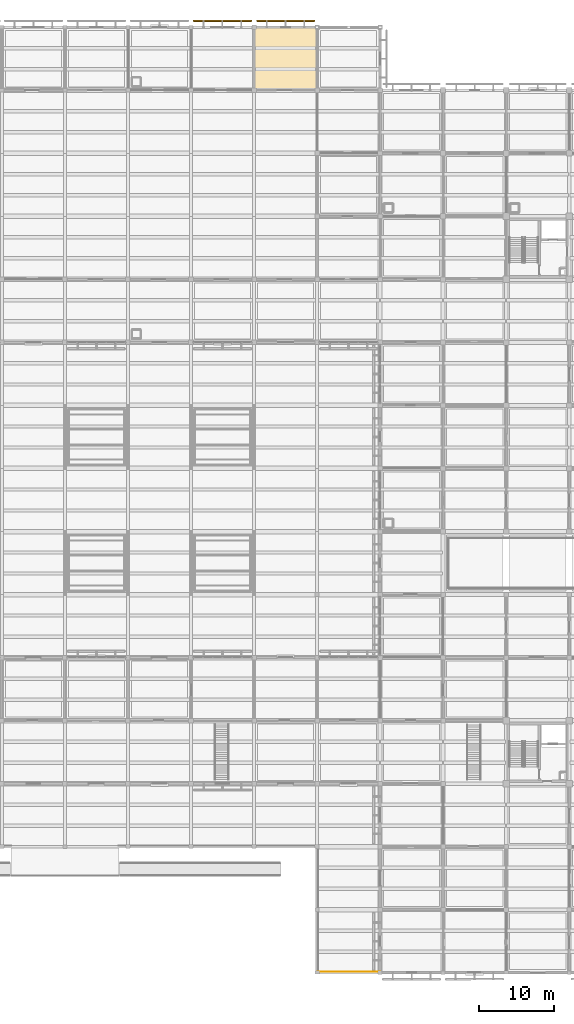
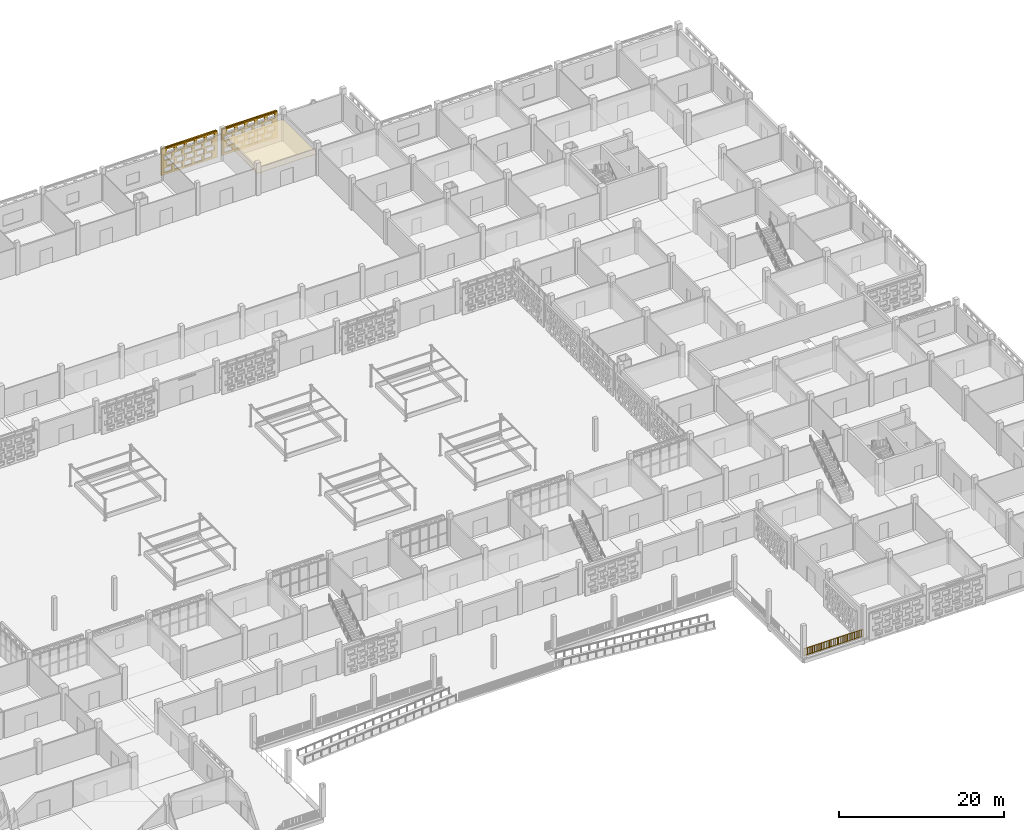
# One storey, part 109 of 129: 3 coverings, 2 shading devices, 1 railing, 40 openings.
"""IFC4 building model written with IfcOpenShell, lengths in metres."""

from ifc_helpers import new_model, si_unit, direction, frame, frame_2d, origin, origin_2d, place, context, subcontext, project, spatial, rectangle, circle, extrude, material, layer, layer_set, type_object, element, save


model = new_model("IFC4")

# Units and contexts
model_context = context("Model", 3, precision=1e-05, world=origin(), true_north=direction((0.0, 1.0)))
body_context = subcontext(model_context, "Body", "Model", "MODEL_VIEW")
ifc_project = project(units=[si_unit("LENGTHUNIT", "METRE"), si_unit("AREAUNIT", "SQUARE_METRE"), si_unit("VOLUMEUNIT", "CUBIC_METRE"), si_unit("PLANEANGLEUNIT", "RADIAN"), si_unit("MASSUNIT", "GRAM", prefix="KILO")], contexts=[model_context])

# Site, building, storey
site_placement = place(None, origin())
site = spatial("IfcSite", under=ifc_project, at=site_placement, CompositionType="ELEMENT")
building_placement = place(site_placement, origin())
building = spatial("IfcBuilding", under=site, at=building_placement, Name="Varnapada Polytechnic", CompositionType="ELEMENT")
storey_placement = place(building_placement, origin())
storey = spatial("IfcBuildingStorey", under=building, at=storey_placement, Name="L00", CompositionType="ELEMENT", Elevation=0.0)

# Covering
ifc_material_1 = material(Name="Perforated Timber Slatted Baffle Ceiling", Category="wood")
ifc_layer_1 = layer(ifc_material_1, 0.050048828125)
ifc_layer_set_1 = layer_set([ifc_layer_1], Name="Perforated Timber Slatted Baffle Ceiling")
covering_type_1 = type_object("IfcCoveringType", Name="Suspended Ceiling CLG-02", PredefinedType="CEILING", material=ifc_layer_set_1)
covering_1_placement = place(storey_placement, frame((121.800048828125, 121.800048828125, 3.02490234375), z_axis=(0.0, 0.0, 1.0), x_axis=(1.0, 0.0, 0.0)))
element("IfcCovering", 1, at=covering_1_placement, inside=storey, type_object=covering_type_1, Name="L00 suspended acoustic ceiling (15,15)", PredefinedType="CEILING", context=body_context, shape_type="SweptSolid", body=[
    extrude(rectangle(XDim=8.419921875, YDim=8.419921875, at=origin_2d()), origin(), (0.0, 0.0, 1.0), 0.050048828125),
])

# Railing
ifc_material_2 = material(Name="Painted galvanized steel", Category="steel")
railing_type = type_object("IfcRailingType", Name="Terrace Guard Rail GRD-01", PredefinedType="BALUSTRADE", material=ifc_material_2)
railing_placement = place(storey_placement, frame((126.1201171875, 0.1201171875, 0.0)))
element("IfcRailing", 2, at=railing_placement, inside=storey, type_object=railing_type, Name="L00 civic square colonnade edge guard GRD-SQ-SE", PredefinedType="BALUSTRADE", context=body_context, shape_type="SweptSolid", body=[
    extrude(circle(Radius=0.02392578125, at=origin_2d()), frame((0.0, 0.0, 1.09619140625), z_axis=(1.0, 0.0, 0.0), x_axis=(0.0, 1.0, 0.0)), (0.0, 0.0, 1.0), 8.27978515625),
    extrude(circle(Radius=0.02392578125, at=origin_2d()), frame((0.0, 0.0, 0.10009765625), z_axis=(1.0, 0.0, 0.0), x_axis=(0.0, 1.0, 0.0)), (0.0, 0.0, 1.0), 8.27978515625),
    extrude(circle(Radius=0.02099609375, at=origin_2d()), origin(), (0.0, 0.0, 1.0), 1.072021484375),
    extrude(circle(Radius=0.02099609375, at=origin_2d()), frame((1.182861328125, 0.0, 0.0)), (0.0, 0.0, 1.0), 1.072021484375),
    extrude(circle(Radius=0.02099609375, at=origin_2d()), frame((2.36572265625, 0.0, 0.0)), (0.0, 0.0, 1.0), 1.072021484375),
    extrude(circle(Radius=0.02099609375, at=origin_2d()), frame((3.548583984375, 0.0, 0.0)), (0.0, 0.0, 1.0), 1.072021484375),
    extrude(circle(Radius=0.02099609375, at=origin_2d()), frame((4.731201171875, 0.0, 0.0)), (0.0, 0.0, 1.0), 1.072021484375),
    extrude(circle(Radius=0.02099609375, at=origin_2d()), frame((5.9140625, 0.0, 0.0)), (0.0, 0.0, 1.0), 1.072021484375),
    extrude(circle(Radius=0.02099609375, at=origin_2d()), frame((7.096923828125, 0.0, 0.0)), (0.0, 0.0, 1.0), 1.072021484375),
    extrude(circle(Radius=0.02099609375, at=origin_2d()), frame((8.27978515625, 0.0, 0.0)), (0.0, 0.0, 1.0), 1.072021484375),
    extrude(circle(Radius=0.010009765625, at=origin_2d()), frame((0.243408203125, 0.0, 0.10009765625)), (0.0, 0.0, 1.0), 0.971923828125),
    extrude(circle(Radius=0.010009765625, at=origin_2d()), frame((0.487060546875, 0.0, 0.10009765625)), (0.0, 0.0, 1.0), 0.971923828125),
    extrude(circle(Radius=0.010009765625, at=origin_2d()), frame((0.73046875, 0.0, 0.10009765625)), (0.0, 0.0, 1.0), 0.971923828125),
    extrude(circle(Radius=0.010009765625, at=origin_2d()), frame((0.97412109375, 0.0, 0.10009765625)), (0.0, 0.0, 1.0), 0.971923828125),
    extrude(circle(Radius=0.010009765625, at=origin_2d()), frame((1.217529296875, 0.0, 0.10009765625)), (0.0, 0.0, 1.0), 0.971923828125),
    extrude(circle(Radius=0.010009765625, at=origin_2d()), frame((1.461181640625, 0.0, 0.10009765625)), (0.0, 0.0, 1.0), 0.971923828125),
    extrude(circle(Radius=0.010009765625, at=origin_2d()), frame((1.70458984375, 0.0, 0.10009765625)), (0.0, 0.0, 1.0), 0.971923828125),
    extrude(circle(Radius=0.010009765625, at=origin_2d()), frame((1.9482421875, 0.0, 0.10009765625)), (0.0, 0.0, 1.0), 0.971923828125),
    extrude(circle(Radius=0.010009765625, at=origin_2d()), frame((2.191650390625, 0.0, 0.10009765625)), (0.0, 0.0, 1.0), 0.971923828125),
    extrude(circle(Radius=0.010009765625, at=origin_2d()), frame((2.435302734375, 0.0, 0.10009765625)), (0.0, 0.0, 1.0), 0.971923828125),
    extrude(circle(Radius=0.010009765625, at=origin_2d()), frame((2.6787109375, 0.0, 0.10009765625)), (0.0, 0.0, 1.0), 0.971923828125),
    extrude(circle(Radius=0.010009765625, at=origin_2d()), frame((2.92236328125, 0.0, 0.10009765625)), (0.0, 0.0, 1.0), 0.971923828125),
    extrude(circle(Radius=0.010009765625, at=origin_2d()), frame((3.165771484375, 0.0, 0.10009765625)), (0.0, 0.0, 1.0), 0.971923828125),
    extrude(circle(Radius=0.010009765625, at=origin_2d()), frame((3.409423828125, 0.0, 0.10009765625)), (0.0, 0.0, 1.0), 0.971923828125),
    extrude(circle(Radius=0.010009765625, at=origin_2d()), frame((3.65283203125, 0.0, 0.10009765625)), (0.0, 0.0, 1.0), 0.971923828125),
    extrude(circle(Radius=0.010009765625, at=origin_2d()), frame((3.896484375, 0.0, 0.10009765625)), (0.0, 0.0, 1.0), 0.971923828125),
    extrude(circle(Radius=0.010009765625, at=origin_2d()), frame((4.139892578125, 0.0, 0.10009765625)), (0.0, 0.0, 1.0), 0.971923828125),
    extrude(circle(Radius=0.010009765625, at=origin_2d()), frame((4.38330078125, 0.0, 0.10009765625)), (0.0, 0.0, 1.0), 0.971923828125),
    extrude(circle(Radius=0.010009765625, at=origin_2d()), frame((4.626953125, 0.0, 0.10009765625)), (0.0, 0.0, 1.0), 0.971923828125),
    extrude(circle(Radius=0.010009765625, at=origin_2d()), frame((4.870361328125, 0.0, 0.10009765625)), (0.0, 0.0, 1.0), 0.971923828125),
    extrude(circle(Radius=0.010009765625, at=origin_2d()), frame((5.114013671875, 0.0, 0.10009765625)), (0.0, 0.0, 1.0), 0.971923828125),
    extrude(circle(Radius=0.010009765625, at=origin_2d()), frame((5.357421875, 0.0, 0.10009765625)), (0.0, 0.0, 1.0), 0.971923828125),
    extrude(circle(Radius=0.010009765625, at=origin_2d()), frame((5.60107421875, 0.0, 0.10009765625)), (0.0, 0.0, 1.0), 0.971923828125),
    extrude(circle(Radius=0.010009765625, at=origin_2d()), frame((5.844482421875, 0.0, 0.10009765625)), (0.0, 0.0, 1.0), 0.971923828125),
    extrude(circle(Radius=0.010009765625, at=origin_2d()), frame((6.088134765625, 0.0, 0.10009765625)), (0.0, 0.0, 1.0), 0.971923828125),
    extrude(circle(Radius=0.010009765625, at=origin_2d()), frame((6.33154296875, 0.0, 0.10009765625)), (0.0, 0.0, 1.0), 0.971923828125),
    extrude(circle(Radius=0.010009765625, at=origin_2d()), frame((6.5751953125, 0.0, 0.10009765625)), (0.0, 0.0, 1.0), 0.971923828125),
    extrude(circle(Radius=0.010009765625, at=origin_2d()), frame((6.818603515625, 0.0, 0.10009765625)), (0.0, 0.0, 1.0), 0.971923828125),
    extrude(circle(Radius=0.010009765625, at=origin_2d()), frame((7.062255859375, 0.0, 0.10009765625)), (0.0, 0.0, 1.0), 0.971923828125),
    extrude(circle(Radius=0.010009765625, at=origin_2d()), frame((7.3056640625, 0.0, 0.10009765625)), (0.0, 0.0, 1.0), 0.971923828125),
    extrude(circle(Radius=0.010009765625, at=origin_2d()), frame((7.54931640625, 0.0, 0.10009765625)), (0.0, 0.0, 1.0), 0.971923828125),
    extrude(circle(Radius=0.010009765625, at=origin_2d()), frame((7.792724609375, 0.0, 0.10009765625)), (0.0, 0.0, 1.0), 0.971923828125),
    extrude(circle(Radius=0.010009765625, at=origin_2d()), frame((8.036376953125, 0.0, 0.10009765625)), (0.0, 0.0, 1.0), 0.971923828125),
])

# Covering, openings
ifc_material_3 = material(Name="Earth-toned architectural terracotta screen block", Category="masonry")
ifc_layer_2 = layer(ifc_material_3, 0.1201171875)
ifc_layer_set_2 = layer_set([ifc_layer_2], Name="Earth-toned architectural terracotta screen block")
covering_type_2 = type_object("IfcCoveringType", Name="Terracotta Screen Cladding CLD-01", PredefinedType="CLADDING", material=ifc_layer_set_2)
covering_2_placement = place(storey_placement, frame((109.449951171875, 126.85009765625, 0.0), z_axis=(0.0, 0.0, 1.0), x_axis=(1.0, 0.0, 0.0)))
covering_2 = element("IfcCovering", 3, at=covering_2_placement, inside=storey, type_object=covering_type_2, Name="L00 perforated terracotta block screen (71)", PredefinedType="CLADDING", context=body_context, shape_type="SweptSolid", body=[
    extrude(rectangle(XDim=7.85009765625, YDim=0.179931640625, at=frame_2d((3.925048828125, 0.0))), origin(), (0.0, 0.0, 1.0), 3.919921875),
])
opening_1_placement = place(covering_2_placement, frame((0.425048828125, 0.0, 0.313720703125)))
element("IfcOpeningElement", 4, at=opening_1_placement, cuts=covering_2, Name="Screen perforation TBS-L00-070.1", PredefinedType="OPENING", context=body_context, shape_type="SweptSolid", body=[
    extrude(rectangle(XDim=1.0400390625, YDim=0.679931640625, at=frame_2d((0.52001953125, 0.33984375))), frame((0.0, 0.099853515625, 0.0), z_axis=(0.0, -1.0, 0.0), x_axis=(1.0, 0.0, 0.0)), (0.0, 0.0, 1.0), 0.199951171875),
])
opening_2_placement = place(covering_2_placement, frame((1.824951171875, 0.0, 0.313720703125)))
element("IfcOpeningElement", 5, at=opening_2_placement, cuts=covering_2, Name="Screen perforation TBS-L00-070.2", PredefinedType="OPENING", context=body_context, shape_type="SweptSolid", body=[
    extrude(rectangle(XDim=1.0400390625, YDim=0.679931640625, at=frame_2d((0.52001953125, 0.33984375))), frame((0.0, 0.099853515625, 0.0), z_axis=(0.0, -1.0, 0.0), x_axis=(1.0, 0.0, 0.0)), (0.0, 0.0, 1.0), 0.199951171875),
])
opening_3_placement = place(covering_2_placement, frame((3.22509765625, 0.0, 0.313720703125)))
element("IfcOpeningElement", 6, at=opening_3_placement, cuts=covering_2, Name="Screen perforation TBS-L00-070.3", PredefinedType="OPENING", context=body_context, shape_type="SweptSolid", body=[
    extrude(rectangle(XDim=1.0400390625, YDim=0.679931640625, at=frame_2d((0.52001953125, 0.33984375))), frame((0.0, 0.099853515625, 0.0), z_axis=(0.0, -1.0, 0.0), x_axis=(1.0, 0.0, 0.0)), (0.0, 0.0, 1.0), 0.199951171875),
])
opening_4_placement = place(covering_2_placement, frame((4.625, 0.0, 0.313720703125)))
element("IfcOpeningElement", 7, at=opening_4_placement, cuts=covering_2, Name="Screen perforation TBS-L00-070.4", PredefinedType="OPENING", context=body_context, shape_type="SweptSolid", body=[
    extrude(rectangle(XDim=1.0400390625, YDim=0.679931640625, at=frame_2d((0.52001953125, 0.33984375))), frame((0.0, 0.099853515625, 0.0), z_axis=(0.0, -1.0, 0.0), x_axis=(1.0, 0.0, 0.0)), (0.0, 0.0, 1.0), 0.199951171875),
])
opening_5_placement = place(covering_2_placement, frame((6.02490234375, 0.0, 0.313720703125)))
element("IfcOpeningElement", 8, at=opening_5_placement, cuts=covering_2, Name="Screen perforation TBS-L00-070.5", PredefinedType="OPENING", context=body_context, shape_type="SweptSolid", body=[
    extrude(rectangle(XDim=1.0400390625, YDim=0.679931640625, at=frame_2d((0.52001953125, 0.33984375))), frame((0.0, 0.099853515625, 0.0), z_axis=(0.0, -1.0, 0.0), x_axis=(1.0, 0.0, 0.0)), (0.0, 0.0, 1.0), 0.199951171875),
])
opening_6_placement = place(covering_2_placement, frame((0.784912109375, 0.0, 1.195556640625)))
element("IfcOpeningElement", 9, at=opening_6_placement, cuts=covering_2, Name="Screen perforation TBS-L00-070.6", PredefinedType="OPENING", context=body_context, shape_type="SweptSolid", body=[
    extrude(rectangle(XDim=1.0400390625, YDim=0.679931640625, at=frame_2d((0.52001953125, 0.33984375))), frame((0.0, 0.099853515625, 0.0), z_axis=(0.0, -1.0, 0.0), x_axis=(1.0, 0.0, 0.0)), (0.0, 0.0, 1.0), 0.199951171875),
])
opening_7_placement = place(covering_2_placement, frame((2.18505859375, 0.0, 1.195556640625)))
element("IfcOpeningElement", 10, at=opening_7_placement, cuts=covering_2, Name="Screen perforation TBS-L00-070.7", PredefinedType="OPENING", context=body_context, shape_type="SweptSolid", body=[
    extrude(rectangle(XDim=1.0400390625, YDim=0.679931640625, at=frame_2d((0.52001953125, 0.33984375))), frame((0.0, 0.099853515625, 0.0), z_axis=(0.0, -1.0, 0.0), x_axis=(1.0, 0.0, 0.0)), (0.0, 0.0, 1.0), 0.199951171875),
])
opening_8_placement = place(covering_2_placement, frame((3.5849609375, 0.0, 1.195556640625)))
element("IfcOpeningElement", 11, at=opening_8_placement, cuts=covering_2, Name="Screen perforation TBS-L00-070.8", PredefinedType="OPENING", context=body_context, shape_type="SweptSolid", body=[
    extrude(rectangle(XDim=1.0400390625, YDim=0.679931640625, at=frame_2d((0.52001953125, 0.33984375))), frame((0.0, 0.099853515625, 0.0), z_axis=(0.0, -1.0, 0.0), x_axis=(1.0, 0.0, 0.0)), (0.0, 0.0, 1.0), 0.199951171875),
])
opening_9_placement = place(covering_2_placement, frame((4.985107421875, 0.0, 1.195556640625)))
element("IfcOpeningElement", 12, at=opening_9_placement, cuts=covering_2, Name="Screen perforation TBS-L00-070.9", PredefinedType="OPENING", context=body_context, shape_type="SweptSolid", body=[
    extrude(rectangle(XDim=1.0400390625, YDim=0.679931640625, at=frame_2d((0.52001953125, 0.33984375))), frame((0.0, 0.099853515625, 0.0), z_axis=(0.0, -1.0, 0.0), x_axis=(1.0, 0.0, 0.0)), (0.0, 0.0, 1.0), 0.199951171875),
])
opening_10_placement = place(covering_2_placement, frame((6.385009765625, 0.0, 1.195556640625)))
element("IfcOpeningElement", 13, at=opening_10_placement, cuts=covering_2, Name="Screen perforation TBS-L00-070.10", PredefinedType="OPENING", context=body_context, shape_type="SweptSolid", body=[
    extrude(rectangle(XDim=1.0400390625, YDim=0.679931640625, at=frame_2d((0.52001953125, 0.33984375))), frame((0.0, 0.099853515625, 0.0), z_axis=(0.0, -1.0, 0.0), x_axis=(1.0, 0.0, 0.0)), (0.0, 0.0, 1.0), 0.199951171875),
])
opening_11_placement = place(covering_2_placement, frame((0.425048828125, 0.0, 2.07763671875)))
element("IfcOpeningElement", 14, at=opening_11_placement, cuts=covering_2, Name="Screen perforation TBS-L00-070.11", PredefinedType="OPENING", context=body_context, shape_type="SweptSolid", body=[
    extrude(rectangle(XDim=1.0400390625, YDim=0.679931640625, at=frame_2d((0.52001953125, 0.33984375))), frame((0.0, 0.099853515625, 0.0), z_axis=(0.0, -1.0, 0.0), x_axis=(1.0, 0.0, 0.0)), (0.0, 0.0, 1.0), 0.199951171875),
])
opening_12_placement = place(covering_2_placement, frame((1.824951171875, 0.0, 2.07763671875)))
element("IfcOpeningElement", 15, at=opening_12_placement, cuts=covering_2, Name="Screen perforation TBS-L00-070.12", PredefinedType="OPENING", context=body_context, shape_type="SweptSolid", body=[
    extrude(rectangle(XDim=1.0400390625, YDim=0.679931640625, at=frame_2d((0.52001953125, 0.33984375))), frame((0.0, 0.099853515625, 0.0), z_axis=(0.0, -1.0, 0.0), x_axis=(1.0, 0.0, 0.0)), (0.0, 0.0, 1.0), 0.199951171875),
])
opening_13_placement = place(covering_2_placement, frame((3.22509765625, 0.0, 2.07763671875)))
element("IfcOpeningElement", 16, at=opening_13_placement, cuts=covering_2, Name="Screen perforation TBS-L00-070.13", PredefinedType="OPENING", context=body_context, shape_type="SweptSolid", body=[
    extrude(rectangle(XDim=1.0400390625, YDim=0.679931640625, at=frame_2d((0.52001953125, 0.33984375))), frame((0.0, 0.099853515625, 0.0), z_axis=(0.0, -1.0, 0.0), x_axis=(1.0, 0.0, 0.0)), (0.0, 0.0, 1.0), 0.199951171875),
])
opening_14_placement = place(covering_2_placement, frame((4.625, 0.0, 2.07763671875)))
element("IfcOpeningElement", 17, at=opening_14_placement, cuts=covering_2, Name="Screen perforation TBS-L00-070.14", PredefinedType="OPENING", context=body_context, shape_type="SweptSolid", body=[
    extrude(rectangle(XDim=1.0400390625, YDim=0.679931640625, at=frame_2d((0.52001953125, 0.33984375))), frame((0.0, 0.099853515625, 0.0), z_axis=(0.0, -1.0, 0.0), x_axis=(1.0, 0.0, 0.0)), (0.0, 0.0, 1.0), 0.199951171875),
])
opening_15_placement = place(covering_2_placement, frame((6.02490234375, 0.0, 2.07763671875)))
element("IfcOpeningElement", 18, at=opening_15_placement, cuts=covering_2, Name="Screen perforation TBS-L00-070.15", PredefinedType="OPENING", context=body_context, shape_type="SweptSolid", body=[
    extrude(rectangle(XDim=1.0400390625, YDim=0.679931640625, at=frame_2d((0.52001953125, 0.33984375))), frame((0.0, 0.099853515625, 0.0), z_axis=(0.0, -1.0, 0.0), x_axis=(1.0, 0.0, 0.0)), (0.0, 0.0, 1.0), 0.199951171875),
])
opening_16_placement = place(covering_2_placement, frame((0.784912109375, 0.0, 2.959716796875)))
element("IfcOpeningElement", 19, at=opening_16_placement, cuts=covering_2, Name="Screen perforation TBS-L00-070.16", PredefinedType="OPENING", context=body_context, shape_type="SweptSolid", body=[
    extrude(rectangle(XDim=1.0400390625, YDim=0.679931640625, at=frame_2d((0.52001953125, 0.33984375))), frame((0.0, 0.099853515625, 0.0), z_axis=(0.0, -1.0, 0.0), x_axis=(1.0, 0.0, 0.0)), (0.0, 0.0, 1.0), 0.199951171875),
])
opening_17_placement = place(covering_2_placement, frame((2.18505859375, 0.0, 2.959716796875)))
element("IfcOpeningElement", 20, at=opening_17_placement, cuts=covering_2, Name="Screen perforation TBS-L00-070.17", PredefinedType="OPENING", context=body_context, shape_type="SweptSolid", body=[
    extrude(rectangle(XDim=1.0400390625, YDim=0.679931640625, at=frame_2d((0.52001953125, 0.33984375))), frame((0.0, 0.099853515625, 0.0), z_axis=(0.0, -1.0, 0.0), x_axis=(1.0, 0.0, 0.0)), (0.0, 0.0, 1.0), 0.199951171875),
])
opening_18_placement = place(covering_2_placement, frame((3.5849609375, 0.0, 2.959716796875)))
element("IfcOpeningElement", 21, at=opening_18_placement, cuts=covering_2, Name="Screen perforation TBS-L00-070.18", PredefinedType="OPENING", context=body_context, shape_type="SweptSolid", body=[
    extrude(rectangle(XDim=1.0400390625, YDim=0.679931640625, at=frame_2d((0.52001953125, 0.33984375))), frame((0.0, 0.099853515625, 0.0), z_axis=(0.0, -1.0, 0.0), x_axis=(1.0, 0.0, 0.0)), (0.0, 0.0, 1.0), 0.199951171875),
])
opening_19_placement = place(covering_2_placement, frame((4.985107421875, 0.0, 2.959716796875)))
element("IfcOpeningElement", 22, at=opening_19_placement, cuts=covering_2, Name="Screen perforation TBS-L00-070.19", PredefinedType="OPENING", context=body_context, shape_type="SweptSolid", body=[
    extrude(rectangle(XDim=1.0400390625, YDim=0.679931640625, at=frame_2d((0.52001953125, 0.33984375))), frame((0.0, 0.099853515625, 0.0), z_axis=(0.0, -1.0, 0.0), x_axis=(1.0, 0.0, 0.0)), (0.0, 0.0, 1.0), 0.199951171875),
])
opening_20_placement = place(covering_2_placement, frame((6.385009765625, 0.0, 2.959716796875)))
element("IfcOpeningElement", 23, at=opening_20_placement, cuts=covering_2, Name="Screen perforation TBS-L00-070.20", PredefinedType="OPENING", context=body_context, shape_type="SweptSolid", body=[
    extrude(rectangle(XDim=1.0400390625, YDim=0.679931640625, at=frame_2d((0.52001953125, 0.33984375))), frame((0.0, 0.099853515625, 0.0), z_axis=(0.0, -1.0, 0.0), x_axis=(1.0, 0.0, 0.0)), (0.0, 0.0, 1.0), 0.199951171875),
])

covering_3_placement = place(storey_placement, frame((117.89990234375, 126.85009765625, 0.0), z_axis=(0.0, 0.0, 1.0), x_axis=(1.0, 0.0, 0.0)))
covering_3 = element("IfcCovering", 24, at=covering_3_placement, inside=storey, type_object=covering_type_2, Name="L00 perforated terracotta block screen (75)", PredefinedType="CLADDING", context=body_context, shape_type="SweptSolid", body=[
    extrude(rectangle(XDim=7.800048828125, YDim=0.179931640625, at=frame_2d((3.89990234375, 0.0))), origin(), (0.0, 0.0, 1.0), 3.919921875),
])
opening_21_placement = place(covering_3_placement, frame((0.39990234375, 0.0, 0.313720703125)))
element("IfcOpeningElement", 25, at=opening_21_placement, cuts=covering_3, Name="Screen perforation TBS-L00-074.1", PredefinedType="OPENING", context=body_context, shape_type="SweptSolid", body=[
    extrude(rectangle(XDim=1.0400390625, YDim=0.679931640625, at=frame_2d((0.52001953125, 0.33984375))), frame((0.0, 0.099853515625, 0.0), z_axis=(0.0, -1.0, 0.0), x_axis=(1.0, 0.0, 0.0)), (0.0, 0.0, 1.0), 0.199951171875),
])
opening_22_placement = place(covering_3_placement, frame((1.800048828125, 0.0, 0.313720703125)))
element("IfcOpeningElement", 26, at=opening_22_placement, cuts=covering_3, Name="Screen perforation TBS-L00-074.2", PredefinedType="OPENING", context=body_context, shape_type="SweptSolid", body=[
    extrude(rectangle(XDim=1.0400390625, YDim=0.679931640625, at=frame_2d((0.52001953125, 0.33984375))), frame((0.0, 0.099853515625, 0.0), z_axis=(0.0, -1.0, 0.0), x_axis=(1.0, 0.0, 0.0)), (0.0, 0.0, 1.0), 0.199951171875),
])
opening_23_placement = place(covering_3_placement, frame((3.199951171875, 0.0, 0.313720703125)))
element("IfcOpeningElement", 27, at=opening_23_placement, cuts=covering_3, Name="Screen perforation TBS-L00-074.3", PredefinedType="OPENING", context=body_context, shape_type="SweptSolid", body=[
    extrude(rectangle(XDim=1.0400390625, YDim=0.679931640625, at=frame_2d((0.52001953125, 0.33984375))), frame((0.0, 0.099853515625, 0.0), z_axis=(0.0, -1.0, 0.0), x_axis=(1.0, 0.0, 0.0)), (0.0, 0.0, 1.0), 0.199951171875),
])
opening_24_placement = place(covering_3_placement, frame((4.60009765625, 0.0, 0.313720703125)))
element("IfcOpeningElement", 28, at=opening_24_placement, cuts=covering_3, Name="Screen perforation TBS-L00-074.4", PredefinedType="OPENING", context=body_context, shape_type="SweptSolid", body=[
    extrude(rectangle(XDim=1.0400390625, YDim=0.679931640625, at=frame_2d((0.52001953125, 0.33984375))), frame((0.0, 0.099853515625, 0.0), z_axis=(0.0, -1.0, 0.0), x_axis=(1.0, 0.0, 0.0)), (0.0, 0.0, 1.0), 0.199951171875),
])
opening_25_placement = place(covering_3_placement, frame((6.0, 0.0, 0.313720703125)))
element("IfcOpeningElement", 29, at=opening_25_placement, cuts=covering_3, Name="Screen perforation TBS-L00-074.5", PredefinedType="OPENING", context=body_context, shape_type="SweptSolid", body=[
    extrude(rectangle(XDim=1.0400390625, YDim=0.679931640625, at=frame_2d((0.52001953125, 0.33984375))), frame((0.0, 0.099853515625, 0.0), z_axis=(0.0, -1.0, 0.0), x_axis=(1.0, 0.0, 0.0)), (0.0, 0.0, 1.0), 0.199951171875),
])
opening_26_placement = place(covering_3_placement, frame((0.760009765625, 0.0, 1.195556640625)))
element("IfcOpeningElement", 30, at=opening_26_placement, cuts=covering_3, Name="Screen perforation TBS-L00-074.6", PredefinedType="OPENING", context=body_context, shape_type="SweptSolid", body=[
    extrude(rectangle(XDim=1.0400390625, YDim=0.679931640625, at=frame_2d((0.52001953125, 0.33984375))), frame((0.0, 0.099853515625, 0.0), z_axis=(0.0, -1.0, 0.0), x_axis=(1.0, 0.0, 0.0)), (0.0, 0.0, 1.0), 0.199951171875),
])
opening_27_placement = place(covering_3_placement, frame((2.159912109375, 0.0, 1.195556640625)))
element("IfcOpeningElement", 31, at=opening_27_placement, cuts=covering_3, Name="Screen perforation TBS-L00-074.7", PredefinedType="OPENING", context=body_context, shape_type="SweptSolid", body=[
    extrude(rectangle(XDim=1.0400390625, YDim=0.679931640625, at=frame_2d((0.52001953125, 0.33984375))), frame((0.0, 0.099853515625, 0.0), z_axis=(0.0, -1.0, 0.0), x_axis=(1.0, 0.0, 0.0)), (0.0, 0.0, 1.0), 0.199951171875),
])
opening_28_placement = place(covering_3_placement, frame((3.56005859375, 0.0, 1.195556640625)))
element("IfcOpeningElement", 32, at=opening_28_placement, cuts=covering_3, Name="Screen perforation TBS-L00-074.8", PredefinedType="OPENING", context=body_context, shape_type="SweptSolid", body=[
    extrude(rectangle(XDim=1.0400390625, YDim=0.679931640625, at=frame_2d((0.52001953125, 0.33984375))), frame((0.0, 0.099853515625, 0.0), z_axis=(0.0, -1.0, 0.0), x_axis=(1.0, 0.0, 0.0)), (0.0, 0.0, 1.0), 0.199951171875),
])
opening_29_placement = place(covering_3_placement, frame((4.9599609375, 0.0, 1.195556640625)))
element("IfcOpeningElement", 33, at=opening_29_placement, cuts=covering_3, Name="Screen perforation TBS-L00-074.9", PredefinedType="OPENING", context=body_context, shape_type="SweptSolid", body=[
    extrude(rectangle(XDim=1.0400390625, YDim=0.679931640625, at=frame_2d((0.52001953125, 0.33984375))), frame((0.0, 0.099853515625, 0.0), z_axis=(0.0, -1.0, 0.0), x_axis=(1.0, 0.0, 0.0)), (0.0, 0.0, 1.0), 0.199951171875),
])
opening_30_placement = place(covering_3_placement, frame((6.360107421875, 0.0, 1.195556640625)))
element("IfcOpeningElement", 34, at=opening_30_placement, cuts=covering_3, Name="Screen perforation TBS-L00-074.10", PredefinedType="OPENING", context=body_context, shape_type="SweptSolid", body=[
    extrude(rectangle(XDim=1.0400390625, YDim=0.679931640625, at=frame_2d((0.52001953125, 0.33984375))), frame((0.0, 0.099853515625, 0.0), z_axis=(0.0, -1.0, 0.0), x_axis=(1.0, 0.0, 0.0)), (0.0, 0.0, 1.0), 0.199951171875),
])
opening_31_placement = place(covering_3_placement, frame((0.39990234375, 0.0, 2.07763671875)))
element("IfcOpeningElement", 35, at=opening_31_placement, cuts=covering_3, Name="Screen perforation TBS-L00-074.11", PredefinedType="OPENING", context=body_context, shape_type="SweptSolid", body=[
    extrude(rectangle(XDim=1.0400390625, YDim=0.679931640625, at=frame_2d((0.52001953125, 0.33984375))), frame((0.0, 0.099853515625, 0.0), z_axis=(0.0, -1.0, 0.0), x_axis=(1.0, 0.0, 0.0)), (0.0, 0.0, 1.0), 0.199951171875),
])
opening_32_placement = place(covering_3_placement, frame((1.800048828125, 0.0, 2.07763671875)))
element("IfcOpeningElement", 36, at=opening_32_placement, cuts=covering_3, Name="Screen perforation TBS-L00-074.12", PredefinedType="OPENING", context=body_context, shape_type="SweptSolid", body=[
    extrude(rectangle(XDim=1.0400390625, YDim=0.679931640625, at=frame_2d((0.52001953125, 0.33984375))), frame((0.0, 0.099853515625, 0.0), z_axis=(0.0, -1.0, 0.0), x_axis=(1.0, 0.0, 0.0)), (0.0, 0.0, 1.0), 0.199951171875),
])
opening_33_placement = place(covering_3_placement, frame((3.199951171875, 0.0, 2.07763671875)))
element("IfcOpeningElement", 37, at=opening_33_placement, cuts=covering_3, Name="Screen perforation TBS-L00-074.13", PredefinedType="OPENING", context=body_context, shape_type="SweptSolid", body=[
    extrude(rectangle(XDim=1.0400390625, YDim=0.679931640625, at=frame_2d((0.52001953125, 0.33984375))), frame((0.0, 0.099853515625, 0.0), z_axis=(0.0, -1.0, 0.0), x_axis=(1.0, 0.0, 0.0)), (0.0, 0.0, 1.0), 0.199951171875),
])
opening_34_placement = place(covering_3_placement, frame((4.60009765625, 0.0, 2.07763671875)))
element("IfcOpeningElement", 38, at=opening_34_placement, cuts=covering_3, Name="Screen perforation TBS-L00-074.14", PredefinedType="OPENING", context=body_context, shape_type="SweptSolid", body=[
    extrude(rectangle(XDim=1.0400390625, YDim=0.679931640625, at=frame_2d((0.52001953125, 0.33984375))), frame((0.0, 0.099853515625, 0.0), z_axis=(0.0, -1.0, 0.0), x_axis=(1.0, 0.0, 0.0)), (0.0, 0.0, 1.0), 0.199951171875),
])
opening_35_placement = place(covering_3_placement, frame((6.0, 0.0, 2.07763671875)))
element("IfcOpeningElement", 39, at=opening_35_placement, cuts=covering_3, Name="Screen perforation TBS-L00-074.15", PredefinedType="OPENING", context=body_context, shape_type="SweptSolid", body=[
    extrude(rectangle(XDim=1.0400390625, YDim=0.679931640625, at=frame_2d((0.52001953125, 0.33984375))), frame((0.0, 0.099853515625, 0.0), z_axis=(0.0, -1.0, 0.0), x_axis=(1.0, 0.0, 0.0)), (0.0, 0.0, 1.0), 0.199951171875),
])
opening_36_placement = place(covering_3_placement, frame((0.760009765625, 0.0, 2.959716796875)))
element("IfcOpeningElement", 40, at=opening_36_placement, cuts=covering_3, Name="Screen perforation TBS-L00-074.16", PredefinedType="OPENING", context=body_context, shape_type="SweptSolid", body=[
    extrude(rectangle(XDim=1.0400390625, YDim=0.679931640625, at=frame_2d((0.52001953125, 0.33984375))), frame((0.0, 0.099853515625, 0.0), z_axis=(0.0, -1.0, 0.0), x_axis=(1.0, 0.0, 0.0)), (0.0, 0.0, 1.0), 0.199951171875),
])
opening_37_placement = place(covering_3_placement, frame((2.159912109375, 0.0, 2.959716796875)))
element("IfcOpeningElement", 41, at=opening_37_placement, cuts=covering_3, Name="Screen perforation TBS-L00-074.17", PredefinedType="OPENING", context=body_context, shape_type="SweptSolid", body=[
    extrude(rectangle(XDim=1.0400390625, YDim=0.679931640625, at=frame_2d((0.52001953125, 0.33984375))), frame((0.0, 0.099853515625, 0.0), z_axis=(0.0, -1.0, 0.0), x_axis=(1.0, 0.0, 0.0)), (0.0, 0.0, 1.0), 0.199951171875),
])
opening_38_placement = place(covering_3_placement, frame((3.56005859375, 0.0, 2.959716796875)))
element("IfcOpeningElement", 42, at=opening_38_placement, cuts=covering_3, Name="Screen perforation TBS-L00-074.18", PredefinedType="OPENING", context=body_context, shape_type="SweptSolid", body=[
    extrude(rectangle(XDim=1.0400390625, YDim=0.679931640625, at=frame_2d((0.52001953125, 0.33984375))), frame((0.0, 0.099853515625, 0.0), z_axis=(0.0, -1.0, 0.0), x_axis=(1.0, 0.0, 0.0)), (0.0, 0.0, 1.0), 0.199951171875),
])
opening_39_placement = place(covering_3_placement, frame((4.9599609375, 0.0, 2.959716796875)))
element("IfcOpeningElement", 43, at=opening_39_placement, cuts=covering_3, Name="Screen perforation TBS-L00-074.19", PredefinedType="OPENING", context=body_context, shape_type="SweptSolid", body=[
    extrude(rectangle(XDim=1.0400390625, YDim=0.679931640625, at=frame_2d((0.52001953125, 0.33984375))), frame((0.0, 0.099853515625, 0.0), z_axis=(0.0, -1.0, 0.0), x_axis=(1.0, 0.0, 0.0)), (0.0, 0.0, 1.0), 0.199951171875),
])
opening_40_placement = place(covering_3_placement, frame((6.360107421875, 0.0, 2.959716796875)))
element("IfcOpeningElement", 44, at=opening_40_placement, cuts=covering_3, Name="Screen perforation TBS-L00-074.20", PredefinedType="OPENING", context=body_context, shape_type="SweptSolid", body=[
    extrude(rectangle(XDim=1.0400390625, YDim=0.679931640625, at=frame_2d((0.52001953125, 0.33984375))), frame((0.0, 0.099853515625, 0.0), z_axis=(0.0, -1.0, 0.0), x_axis=(1.0, 0.0, 0.0)), (0.0, 0.0, 1.0), 0.199951171875),
])

# Shading devices
ifc_layer_3 = layer(ifc_material_3, 0.179931640625)
ifc_layer_set_3 = layer_set([ifc_layer_3], Name="Earth-toned architectural terracotta screen block")
shading_device_type = type_object("IfcShadingDeviceType", Name="Terracotta Screen SCR-02", PredefinedType="USERDEFINED", material=ifc_layer_set_3)
shading_device_1_placement = place(storey_placement, frame((113.375, 126.85009765625, 3.909912109375), z_axis=(0.0, 0.0, 1.0), x_axis=(1.0, 0.0, 0.0)))
element("IfcShadingDevice", 45, at=shading_device_1_placement, inside=storey, type_object=shading_device_type, Name="L00 perforated terracotta screen hood 50", ObjectType="SCREEN", PredefinedType="USERDEFINED", context=body_context, shape_type="SweptSolid", body=[
    extrude(rectangle(XDim=7.64990234375, YDim=0.239990234375, at=origin_2d()), origin(), (0.0, 0.0, 1.0), 0.10009765625),
])
shading_device_2_placement = place(storey_placement, frame((121.800048828125, 126.85009765625, 3.909912109375), z_axis=(0.0, 0.0, 1.0), x_axis=(1.0, 0.0, 0.0)))
element("IfcShadingDevice", 46, at=shading_device_2_placement, inside=storey, type_object=shading_device_type, Name="L00 perforated terracotta screen hood 51", ObjectType="SCREEN", PredefinedType="USERDEFINED", context=body_context, shape_type="SweptSolid", body=[
    extrude(rectangle(XDim=7.60009765625, YDim=0.239990234375, at=origin_2d()), origin(), (0.0, 0.0, 1.0), 0.10009765625),
])

save(model, "model.ifc")
